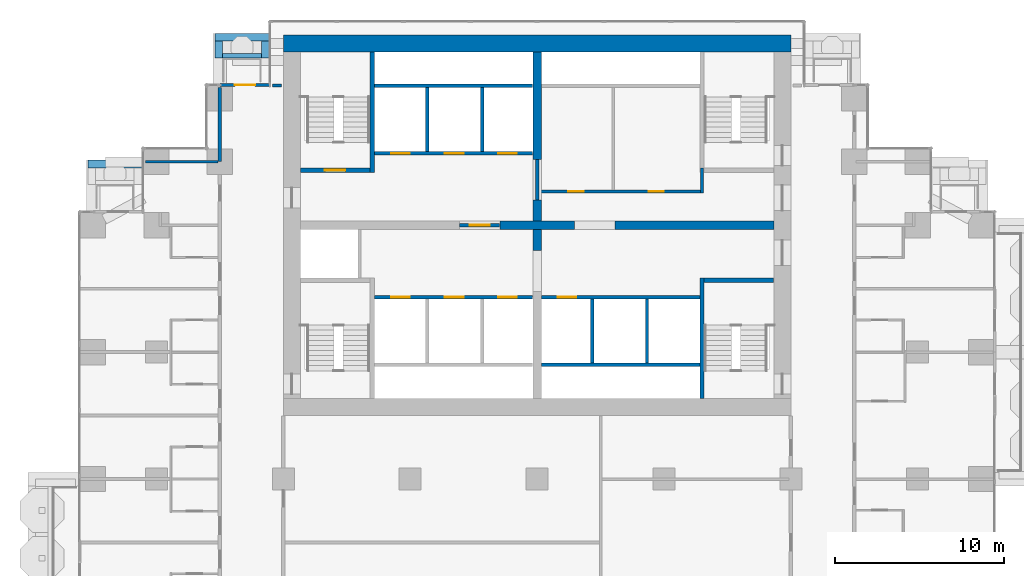
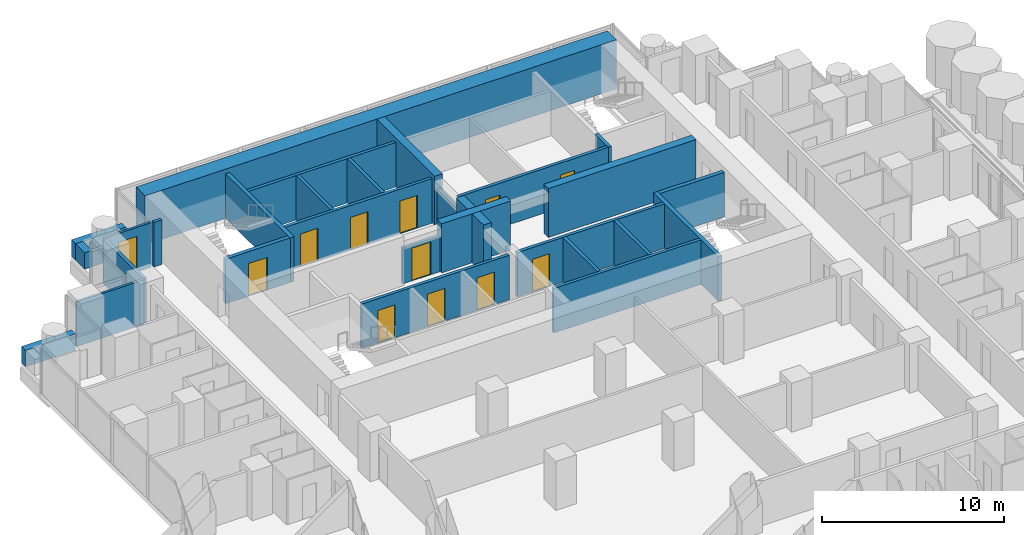
# One storey, part 15 of 20: 32 walls, 12 doors, 12 openings.
"""IFC4 building model written with IfcOpenShell, lengths in metres."""

from ifc_helpers import new_model, si_unit, direction, frame, frame_2d, origin, place, context, subcontext, project, spatial, rectangle, extrude, material, layer, layer_set, type_object, element, fill, save


model = new_model("IFC4")

# Units and contexts
model_context = context("Model", 3, precision=1e-05, world=origin(), true_north=direction((0.0, 1.0)))
body_context = subcontext(model_context, "Body", "Model", "MODEL_VIEW")
ifc_project = project(units=[si_unit("LENGTHUNIT", "METRE"), si_unit("AREAUNIT", "SQUARE_METRE"), si_unit("VOLUMEUNIT", "CUBIC_METRE"), si_unit("PLANEANGLEUNIT", "RADIAN"), si_unit("MASSUNIT", "GRAM", prefix="KILO")], contexts=[model_context])

# Site, building, storey
site_placement = place(None, origin())
site = spatial("IfcSite", under=ifc_project, at=site_placement, CompositionType="ELEMENT")
building_placement = place(site_placement, origin())
building = spatial("IfcBuilding", under=site, at=building_placement, Name="Pilkhan Gate Tower", CompositionType="ELEMENT")
storey_placement = place(building_placement, frame((0.0, 0.0, 85.699951171875)))
storey = spatial("IfcBuildingStorey", under=building, at=storey_placement, Name="L20", CompositionType="ELEMENT", Elevation=85.699951171875)

# Walls
ifc_material_1 = material(Name="Concrete C40/50", Category="concrete")
ifc_layer_1 = layer(ifc_material_1, 0.25)
ifc_layer_set_1 = layer_set([ifc_layer_1], Name="Balcony planter BP250")
wall_type_1 = type_object("IfcWallType", Name="Balcony planter BP250", PredefinedType="USERDEFINED", material=ifc_layer_set_1)
wall_1_placement = place(storey_placement, frame((56.39990234375, 92.52490234375, 0.0), z_axis=(0.0, 0.0, 1.0), x_axis=(1.0, 0.0, 0.0)))
element("IfcWall", 1, at=wall_1_placement, inside=storey, type_object=wall_type_1, Name="Balcony planter L20 N", ObjectType="BALCONY PLANTER", PredefinedType="USERDEFINED", context=body_context, shape_type="SweptSolid", body=[
    extrude(rectangle(XDim=2.300048828125, YDim=0.25, at=frame_2d((1.14990234375, 0.0))), origin(), (0.0, 0.0, 1.0), 1.0),
])
ifc_material_2 = material(Name="Board-marked Concrete C40/50", Category="concrete")
ifc_layer_2 = layer(ifc_material_2, 0.449951171875)
ifc_layer_set_2 = layer_set([ifc_layer_2], Name="Balcony planter lip BL450")
wall_type_2 = type_object("IfcWallType", Name="Balcony planter lip BL450", PredefinedType="USERDEFINED", material=ifc_layer_set_2)
wall_2_placement = place(storey_placement, frame((55.949951171875, 93.625, 0.0), z_axis=(0.0, 0.0, 1.0), x_axis=(1.0, 0.0, 0.0)))
element("IfcWall", 2, at=wall_2_placement, inside=storey, type_object=wall_type_2, Name="Balcony planter L20 N", ObjectType="BALCONY PLANTER", PredefinedType="USERDEFINED", context=body_context, shape_type="SweptSolid", body=[
    extrude(rectangle(XDim=3.199951171875, YDim=0.449951171875, at=frame_2d((1.60009765625, 0.0))), origin(), (0.0, 0.0, 1.0), 1.10009765625),
])
for number, where, z_axis, x_axis, name in (
    (3, (56.175048828125, 92.39990234375, 0.0), (0.0, 0.0, 1.0), (0.0, 1.0, 0.0), "Balcony planter L20 N"),
    (4, (58.925048828125, 92.39990234375, 0.0), (0.0, 0.0, 1.0), (0.0, 1.0, 0.0), "Balcony planter L20 N"),
):
    element("IfcWall", number, at=place(storey_placement, frame(where, z_axis=z_axis, x_axis=x_axis)), inside=storey, type_object=wall_type_2, Name=name, ObjectType="BALCONY PLANTER", PredefinedType="USERDEFINED", context=body_context, shape_type="SweptSolid", body=[
        extrude(rectangle(XDim=1.0, YDim=0.449951171875, at=frame_2d((0.5, 0.0))), origin(), (0.0, 0.0, 1.0), 1.10009765625),
    ])
wall_3_placement = place(storey_placement, frame((48.449951171875, 86.125, 0.0), z_axis=(0.0, 0.0, 1.0), x_axis=(1.0, 0.0, 0.0)))
element("IfcWall", 5, at=wall_3_placement, inside=storey, type_object=wall_type_2, Name="Balcony planter L20 N", ObjectType="BALCONY PLANTER", PredefinedType="USERDEFINED", context=body_context, shape_type="SweptSolid", body=[
    extrude(rectangle(XDim=3.179931640625, YDim=0.449951171875, at=frame_2d((1.58984375, 0.0))), origin(), (0.0, 0.0, 1.0), 1.10009765625),
])
ifc_material_3 = material(Name="Concrete C70/85", Category="concrete")
ifc_layer_3 = layer(ifc_material_3, 1.0)
ifc_layer_set_3 = layer_set([ifc_layer_3], Name="Core wall CW1000 C70/85")
wall_type_3 = type_object("IfcWallType", Name="Core wall CW1000 C70/85", PredefinedType="SHEAR", material=ifc_layer_set_3)
wall_4_placement = place(storey_placement, frame((90.0, 93.25, 0.0), z_axis=(0.0, 0.0, 1.0), x_axis=(-1.0, 0.0, 0.0)))
element("IfcWall", 6, at=wall_4_placement, inside=storey, type_object=wall_type_3, Name="Core wall N L20", PredefinedType="SHEAR", context=body_context, shape_type="SweptSolid", body=[
    extrude(rectangle(XDim=30.0, YDim=1.0, at=frame_2d((15.0, 0.0))), origin(), (0.0, 0.0, 1.0), 3.300048828125),
])
ifc_material_4 = material(Name="Dense blockwork", Category="masonry")
ifc_layer_4 = layer(ifc_material_4, 0.199951171875)
ifc_layer_set_4 = layer_set([ifc_layer_4], Name="Corridor wall FW200")
wall_type_4 = type_object("IfcWallType", Name="Corridor wall FW200", PredefinedType="PARTITIONING", material=ifc_layer_set_4)
wall_5_placement = place(storey_placement, frame((59.35498046875, 90.764892578125, 0.0), z_axis=(0.0, 0.0, 1.0), x_axis=(1.0, 0.0, 0.0)))
element("IfcWall", 7, at=wall_5_placement, inside=storey, type_object=wall_type_4, Name="Partition L20", PredefinedType="PARTITIONING", context=body_context, shape_type="SweptSolid", body=[
    extrude(rectangle(XDim=0.52490234375, YDim=0.199951171875, at=frame_2d((0.262451171875, 0.0))), origin(), (0.0, 0.0, 1.0), 3.0),
])
wall_6_placement = place(storey_placement, frame((56.25, 86.280029296875, 0.0), z_axis=(0.0, 0.0, 1.0), x_axis=(0.0, 1.0, 0.0)))
element("IfcWall", 8, at=wall_6_placement, inside=storey, type_object=wall_type_4, Name="Partition L20", PredefinedType="PARTITIONING", context=body_context, shape_type="SweptSolid", body=[
    extrude(rectangle(XDim=4.364990234375, YDim=0.199951171875, at=frame_2d((2.1826171875, 0.0))), origin(), (0.0, 0.0, 1.0), 3.0),
])

# Wall, opening, door
ifc_material_5 = material(Name="Pale anodised aluminium, clear laminated glazing", Category="aluminium")
ifc_layer_5 = layer(ifc_material_5, 0.14990234375)
ifc_layer_set_5 = layer_set([ifc_layer_5], Name="Facade infill wall IW150")
wall_type_5 = type_object("IfcWallType", Name="Facade infill wall IW150", PredefinedType="SOLIDWALL", material=ifc_layer_set_5)
wall_7_placement = place(storey_placement, frame((56.25, 90.794921875, 0.0), z_axis=(0.0, 0.0, 1.0), x_axis=(1.0, 0.0, 0.0)))
wall_7 = element("IfcWall", 9, at=wall_7_placement, inside=storey, type_object=wall_type_5, Name="Infill wall L20 N", PredefinedType="SOLIDWALL", context=body_context, shape_type="SweptSolid", body=[
    extrude(rectangle(XDim=2.955078125, YDim=0.14990234375, at=frame_2d((1.4775390625, 0.0))), origin(), (0.0, 0.0, 1.0), 3.0),
])
opening_1_placement = place(wall_7_placement, frame((0.87744140625, 0.0, 0.0)))
opening_1 = element("IfcOpeningElement", 10, at=opening_1_placement, cuts=wall_7, Name="Opening D1", PredefinedType="OPENING", context=body_context, shape_type="SweptSolid", body=[
    extrude(rectangle(XDim=1.199951171875, YDim=2.39990234375, at=frame_2d((0.60009765625, 1.199951171875))), frame((0.0, 0.0849609375, 0.0), z_axis=(0.0, -1.0, 0.0), x_axis=(1.0, 0.0, 0.0)), (0.0, 0.0, 1.0), 0.169921875),
])
ifc_material_6 = material(Name="Pale anodised aluminium, clear glazing", Category="aluminium")
door_type_1 = type_object("IfcDoorType", Name="Balcony door D1 1200x2400", OperationType="SINGLE_SWING_LEFT", PredefinedType="DOOR", material=ifc_material_6)
door_1_placement = place(opening_1_placement, origin())
door_1 = element("IfcDoor", 11, at=door_1_placement, inside=storey, type_object=door_type_1, Name="Balcony door L20", OperationType="SINGLE_SWING_LEFT", OverallHeight=2.39990234375, OverallWidth=1.199951171875, PredefinedType="DOOR", context=body_context, shape_type="SweptSolid", body=[
    extrude(rectangle(XDim=1.199951171875, YDim=2.39990234375, at=frame_2d((0.60009765625, 1.199951171875))), frame((0.0, 0.02490234375, 0.0), z_axis=(0.0, -1.0, 0.0), x_axis=(1.0, 0.0, 0.0)), (0.0, 0.0, 1.0), 0.050048828125),
])
fill(opening_1, door_1)

ifc_layer_6 = layer(ifc_material_4, 0.199951171875)
ifc_layer_set_6 = layer_set([ifc_layer_6], Name="Lobby wall LW200")
wall_type_6 = type_object("IfcWallType", Name="Lobby wall LW200", PredefinedType="PARTITIONING", material=ifc_layer_set_6)
wall_8_placement = place(storey_placement, frame((70.409912109375, 82.5, 0.0), z_axis=(0.0, 0.0, 1.0), x_axis=(1.0, 0.0, 0.0)))
wall_8 = element("IfcWall", 12, at=wall_8_placement, inside=storey, type_object=wall_type_6, Name="Partition L20", PredefinedType="PARTITIONING", context=body_context, shape_type="SweptSolid", body=[
    extrude(rectangle(XDim=2.380126953125, YDim=0.199951171875, at=frame_2d((1.18994140625, 0.0))), origin(), (0.0, 0.0, 1.0), 2.400146484375),
])
opening_2_placement = place(wall_8_placement, frame((0.60009765625, 0.0, 0.0)))
opening_2 = element("IfcOpeningElement", 13, at=opening_2_placement, cuts=wall_8, Name="Opening L20-01", PredefinedType="OPENING", context=body_context, shape_type="SweptSolid", body=[
    extrude(rectangle(XDim=1.199951171875, YDim=2.199951171875, at=frame_2d((0.60009765625, 1.10009765625))), frame((0.0, 0.10986328125, 0.0), z_axis=(0.0, -1.0, 0.0), x_axis=(1.0, 0.0, 0.0)), (0.0, 0.0, 1.0), 0.219970703125),
])
ifc_material_7 = material(Name="Steel door, 120 minute fire resisting, self-closing", Category="steel")
door_type_2 = type_object("IfcDoorType", Name="Firefighting lobby door D10 1200x2200", OperationType="SINGLE_SWING_LEFT", PredefinedType="DOOR", material=ifc_material_7)
door_2_placement = place(opening_2_placement, origin())
door_2 = element("IfcDoor", 14, at=door_2_placement, inside=storey, type_object=door_type_2, Name="Firefighting lobby door", OperationType="SINGLE_SWING_LEFT", OverallHeight=2.199951171875, OverallWidth=1.199951171875, PredefinedType="DOOR", context=body_context, shape_type="SweptSolid", body=[
    extrude(rectangle(XDim=1.199951171875, YDim=2.199951171875, at=frame_2d((0.60009765625, 1.10009765625))), frame((0.0, 0.02490234375, 0.0), z_axis=(0.0, -1.0, 0.0), x_axis=(1.0, 0.0, 0.0)), (0.0, 0.0, 1.0), 0.050048828125),
])
fill(opening_2, door_2)

# Wall, openings, doors
wall_9_placement = place(storey_placement, frame((75.10009765625, 84.5, 0.0), z_axis=(0.0, 0.0, 1.0), x_axis=(1.0, 0.0, 0.0)))
wall_9 = element("IfcWall", 15, at=wall_9_placement, inside=storey, type_object=wall_type_6, Name="Partition L20", PredefinedType="PARTITIONING", context=body_context, shape_type="SweptSolid", body=[
    extrude(rectangle(XDim=9.5498046875, YDim=0.199951171875, at=frame_2d((4.77490234375, 0.0))), origin(), (0.0, 0.0, 1.0), 3.0),
])
opening_3_placement = place(wall_9_placement, frame((1.75, 0.0, 0.0)))
opening_3 = element("IfcOpeningElement", 16, at=opening_3_placement, cuts=wall_9, Name="Opening L20-57", PredefinedType="OPENING", context=body_context, shape_type="SweptSolid", body=[
    extrude(rectangle(XDim=0.89990234375, YDim=2.199951171875, at=frame_2d((0.449951171875, 1.10009765625))), frame((0.0, 0.10986328125, 0.0), z_axis=(0.0, -1.0, 0.0), x_axis=(1.0, 0.0, 0.0)), (0.0, 0.0, 1.0), 0.219970703125),
])
opening_4_placement = place(wall_9_placement, frame((6.5, 0.0, 0.0)))
opening_4 = element("IfcOpeningElement", 17, at=opening_4_placement, cuts=wall_9, Name="Opening L20-58", PredefinedType="OPENING", context=body_context, shape_type="SweptSolid", body=[
    extrude(rectangle(XDim=0.89990234375, YDim=2.199951171875, at=frame_2d((0.449951171875, 1.10009765625))), frame((0.0, 0.10986328125, 0.0), z_axis=(0.0, -1.0, 0.0), x_axis=(1.0, 0.0, 0.0)), (0.0, 0.0, 1.0), 0.219970703125),
])
ifc_material_8 = material(Name="Timber flush door, 60 minute fire resisting, self-closing", Category="wood")
door_type_3 = type_object("IfcDoorType", Name="Store door D05 900x2200", OperationType="SINGLE_SWING_LEFT", PredefinedType="DOOR", material=ifc_material_8)
door_3_placement = place(opening_3_placement, origin())
door_3 = element("IfcDoor", 18, at=door_3_placement, inside=storey, type_object=door_type_3, Name="Store door", OperationType="SINGLE_SWING_RIGHT", OverallHeight=2.199951171875, OverallWidth=0.89990234375, PredefinedType="DOOR", context=body_context, shape_type="SweptSolid", body=[
    extrude(rectangle(XDim=0.89990234375, YDim=2.199951171875, at=frame_2d((0.449951171875, 1.10009765625))), frame((0.0, 0.02490234375, 0.0), z_axis=(0.0, -1.0, 0.0), x_axis=(1.0, 0.0, 0.0)), (0.0, 0.0, 1.0), 0.050048828125),
])
fill(opening_3, door_3)
door_4_placement = place(opening_4_placement, origin())
door_4 = element("IfcDoor", 19, at=door_4_placement, inside=storey, type_object=door_type_3, Name="Store door", OperationType="SINGLE_SWING_LEFT", OverallHeight=2.199951171875, OverallWidth=0.89990234375, PredefinedType="DOOR", context=body_context, shape_type="SweptSolid", body=[
    extrude(rectangle(XDim=0.89990234375, YDim=2.199951171875, at=frame_2d((0.449951171875, 1.10009765625))), frame((0.0, 0.02490234375, 0.0), z_axis=(0.0, -1.0, 0.0), x_axis=(1.0, 0.0, 0.0)), (0.0, 0.0, 1.0), 0.050048828125),
])
fill(opening_4, door_4)

# Walls
wall_10_placement = place(storey_placement, frame((75.0, 84.010009765625, 0.0), z_axis=(0.0, 0.0, 1.0), x_axis=(0.0, 1.0, 0.0)))
element("IfcWall", 20, at=wall_10_placement, inside=storey, type_object=wall_type_6, Name="Partition L20", PredefinedType="PARTITIONING", context=body_context, shape_type="SweptSolid", body=[
    extrude(rectangle(XDim=2.3798828125, YDim=0.199951171875, at=frame_2d((1.18994140625, 0.0))), origin(), (0.0, 0.0, 1.0), 2.400146484375),
])
wall_11_placement = place(storey_placement, frame((84.75, 84.39990234375, 0.0), z_axis=(0.0, 0.0, 1.0), x_axis=(0.0, 1.0, 0.0)))
element("IfcWall", 21, at=wall_11_placement, inside=storey, type_object=wall_type_6, Name="Partition L20", PredefinedType="PARTITIONING", context=body_context, shape_type="SweptSolid", body=[
    extrude(rectangle(XDim=1.47509765625, YDim=0.199951171875, at=frame_2d((0.737548828125, 0.0))), origin(), (0.0, 0.0, 1.0), 3.0),
])
ifc_material_9 = material(Name="Blockwork partition, plastered both sides", Category="masonry")
ifc_layer_7 = layer(ifc_material_9, 0.14990234375)
ifc_layer_set_7 = layer_set([ifc_layer_7], Name="Partition PW150")
wall_type_7 = type_object("IfcWallType", Name="Partition PW150", PredefinedType="PARTITIONING", material=ifc_layer_set_7)
wall_12_placement = place(storey_placement, frame((51.85498046875, 86.25, 0.0), z_axis=(0.0, 0.0, 1.0), x_axis=(1.0, 0.0, 0.0)))
element("IfcWall", 22, at=wall_12_placement, inside=storey, type_object=wall_type_7, Name="Partition L20", PredefinedType="PARTITIONING", context=body_context, shape_type="SweptSolid", body=[
    extrude(rectangle(XDim=4.294921875, YDim=0.14990234375, at=frame_2d((2.1474609375, 0.0))), origin(), (0.0, 0.0, 1.0), 3.0),
])
ifc_material_10 = material(Name="Reinforced blockwork shaft wall, 120 minute fire resisting", Category="masonry")
ifc_layer_8 = layer(ifc_material_10, 0.199951171875)
ifc_layer_set_8 = layer_set([ifc_layer_8], Name="Shaft wall SW200")
wall_type_8 = type_object("IfcWallType", Name="Shaft wall SW200", PredefinedType="PARTITIONING", material=ifc_layer_set_8)
wall_13_placement = place(storey_placement, frame((75.260009765625, 74.25, 0.0), z_axis=(0.0, 0.0, 1.0), x_axis=(1.0, 0.0, 0.0)))
element("IfcWall", 23, at=wall_13_placement, inside=storey, type_object=wall_type_8, Name="Partition L20", PredefinedType="PARTITIONING", context=body_context, shape_type="SweptSolid", body=[
    extrude(rectangle(XDim=9.364990234375, YDim=0.199951171875, at=frame_2d((4.6826171875, 0.0))), origin(), (0.0, 0.0, 1.0), 3.0),
])

# Wall, openings, doors
wall_14_placement = place(storey_placement, frame((65.375, 78.25, 0.0), z_axis=(0.0, 0.0, 1.0), x_axis=(1.0, 0.0, 0.0)))
wall_14 = element("IfcWall", 24, at=wall_14_placement, inside=storey, type_object=wall_type_8, Name="Partition L20", PredefinedType="PARTITIONING", context=body_context, shape_type="SweptSolid", body=[
    extrude(rectangle(XDim=9.364990234375, YDim=0.199951171875, at=frame_2d((4.6826171875, 0.0))), origin(), (0.0, 0.0, 1.0), 3.0),
])
opening_5_placement = place(wall_14_placement, frame((1.0, 0.0, 0.0)))
opening_5 = element("IfcOpeningElement", 25, at=opening_5_placement, cuts=wall_14, Name="Opening LD", PredefinedType="OPENING", context=body_context, shape_type="SweptSolid", body=[
    extrude(rectangle(XDim=1.10009765625, YDim=2.199951171875, at=frame_2d((0.550048828125, 1.10009765625))), frame((0.0, 0.10986328125, 0.0), z_axis=(0.0, -1.0, 0.0), x_axis=(1.0, 0.0, 0.0)), (0.0, 0.0, 1.0), 0.219970703125),
])
opening_6_placement = place(wall_14_placement, frame((4.175048828125, 0.0, 0.0)))
opening_6 = element("IfcOpeningElement", 26, at=opening_6_placement, cuts=wall_14, Name="Opening LD", PredefinedType="OPENING", context=body_context, shape_type="SweptSolid", body=[
    extrude(rectangle(XDim=1.10009765625, YDim=2.199951171875, at=frame_2d((0.550048828125, 1.10009765625))), frame((0.0, 0.10986328125, 0.0), z_axis=(0.0, -1.0, 0.0), x_axis=(1.0, 0.0, 0.0)), (0.0, 0.0, 1.0), 0.219970703125),
])
opening_7_placement = place(wall_14_placement, frame((7.324951171875, 0.0, 0.0)))
opening_7 = element("IfcOpeningElement", 27, at=opening_7_placement, cuts=wall_14, Name="Opening LD", PredefinedType="OPENING", context=body_context, shape_type="SweptSolid", body=[
    extrude(rectangle(XDim=1.10009765625, YDim=2.199951171875, at=frame_2d((0.550048828125, 1.10009765625))), frame((0.0, 0.10986328125, 0.0), z_axis=(0.0, -1.0, 0.0), x_axis=(1.0, 0.0, 0.0)), (0.0, 0.0, 1.0), 0.219970703125),
])
ifc_material_11 = material(Name="Stainless steel centre-opening landing door, 120 minute fire resisting", Category="steel")
door_type_4 = type_object("IfcDoorType", Name="Lift landing door LD 1100x2200", OperationType="DOUBLE_DOOR_SLIDING", PredefinedType="DOOR", material=ifc_material_11)
door_5_placement = place(opening_5_placement, origin())
door_5 = element("IfcDoor", 28, at=door_5_placement, inside=storey, type_object=door_type_4, Name="Landing door LR1", OperationType="DOUBLE_DOOR_SLIDING", OverallHeight=2.199951171875, OverallWidth=1.10009765625, PredefinedType="DOOR", context=body_context, shape_type="SweptSolid", body=[
    extrude(rectangle(XDim=1.10009765625, YDim=2.199951171875, at=frame_2d((0.550048828125, 1.10009765625))), frame((0.0, 0.02490234375, 0.0), z_axis=(0.0, -1.0, 0.0), x_axis=(1.0, 0.0, 0.0)), (0.0, 0.0, 1.0), 0.050048828125),
])
fill(opening_5, door_5)
door_6_placement = place(opening_6_placement, origin())
door_6 = element("IfcDoor", 29, at=door_6_placement, inside=storey, type_object=door_type_4, Name="Landing door LR2", OperationType="DOUBLE_DOOR_SLIDING", OverallHeight=2.199951171875, OverallWidth=1.10009765625, PredefinedType="DOOR", context=body_context, shape_type="SweptSolid", body=[
    extrude(rectangle(XDim=1.10009765625, YDim=2.199951171875, at=frame_2d((0.550048828125, 1.10009765625))), frame((0.0, 0.02490234375, 0.0), z_axis=(0.0, -1.0, 0.0), x_axis=(1.0, 0.0, 0.0)), (0.0, 0.0, 1.0), 0.050048828125),
])
fill(opening_6, door_6)
door_7_placement = place(opening_7_placement, origin())
door_7 = element("IfcDoor", 30, at=door_7_placement, inside=storey, type_object=door_type_4, Name="Landing door LR3", OperationType="DOUBLE_DOOR_SLIDING", OverallHeight=2.199951171875, OverallWidth=1.10009765625, PredefinedType="DOOR", context=body_context, shape_type="SweptSolid", body=[
    extrude(rectangle(XDim=1.10009765625, YDim=2.199951171875, at=frame_2d((0.550048828125, 1.10009765625))), frame((0.0, 0.02490234375, 0.0), z_axis=(0.0, -1.0, 0.0), x_axis=(1.0, 0.0, 0.0)), (0.0, 0.0, 1.0), 0.050048828125),
])
fill(opening_7, door_7)

# Wall, opening, door
wall_15_placement = place(storey_placement, frame((75.260009765625, 78.25, 0.0), z_axis=(0.0, 0.0, 1.0), x_axis=(1.0, 0.0, 0.0)))
wall_15 = element("IfcWall", 31, at=wall_15_placement, inside=storey, type_object=wall_type_8, Name="Partition L20", PredefinedType="PARTITIONING", context=body_context, shape_type="SweptSolid", body=[
    extrude(rectangle(XDim=9.364990234375, YDim=0.199951171875, at=frame_2d((4.6826171875, 0.0))), origin(), (0.0, 0.0, 1.0), 3.0),
])
opening_8_placement = place(wall_15_placement, frame((0.949951171875, 0.0, 0.0)))
opening_8 = element("IfcOpeningElement", 32, at=opening_8_placement, cuts=wall_15, Name="Opening LD", PredefinedType="OPENING", context=body_context, shape_type="SweptSolid", body=[
    extrude(rectangle(XDim=1.10009765625, YDim=2.199951171875, at=frame_2d((0.550048828125, 1.10009765625))), frame((0.0, 0.10986328125, 0.0), z_axis=(0.0, -1.0, 0.0), x_axis=(1.0, 0.0, 0.0)), (0.0, 0.0, 1.0), 0.219970703125),
])
door_8_placement = place(opening_8_placement, origin())
door_8 = element("IfcDoor", 33, at=door_8_placement, inside=storey, type_object=door_type_4, Name="Landing door LR4", OperationType="DOUBLE_DOOR_SLIDING", OverallHeight=2.199951171875, OverallWidth=1.10009765625, PredefinedType="DOOR", context=body_context, shape_type="SweptSolid", body=[
    extrude(rectangle(XDim=1.10009765625, YDim=2.199951171875, at=frame_2d((0.550048828125, 1.10009765625))), frame((0.0, 0.02490234375, 0.0), z_axis=(0.0, -1.0, 0.0), x_axis=(1.0, 0.0, 0.0)), (0.0, 0.0, 1.0), 0.050048828125),
])
fill(opening_8, door_8)

# Wall, openings, doors
wall_16_placement = place(storey_placement, frame((65.375, 86.75, 0.0), z_axis=(0.0, 0.0, 1.0), x_axis=(1.0, 0.0, 0.0)))
wall_16 = element("IfcWall", 34, at=wall_16_placement, inside=storey, type_object=wall_type_8, Name="Partition L20", PredefinedType="PARTITIONING", context=body_context, shape_type="SweptSolid", body=[
    extrude(rectangle(XDim=9.364990234375, YDim=0.199951171875, at=frame_2d((4.6826171875, 0.0))), origin(), (0.0, 0.0, 1.0), 3.0),
])
opening_9_placement = place(wall_16_placement, frame((1.0, 0.0, 0.0)))
opening_9 = element("IfcOpeningElement", 35, at=opening_9_placement, cuts=wall_16, Name="Opening LD", PredefinedType="OPENING", context=body_context, shape_type="SweptSolid", body=[
    extrude(rectangle(XDim=1.10009765625, YDim=2.199951171875, at=frame_2d((0.550048828125, 1.10009765625))), frame((0.0, 0.10986328125, 0.0), z_axis=(0.0, -1.0, 0.0), x_axis=(1.0, 0.0, 0.0)), (0.0, 0.0, 1.0), 0.219970703125),
])
opening_10_placement = place(wall_16_placement, frame((4.175048828125, 0.0, 0.0)))
opening_10 = element("IfcOpeningElement", 36, at=opening_10_placement, cuts=wall_16, Name="Opening LD", PredefinedType="OPENING", context=body_context, shape_type="SweptSolid", body=[
    extrude(rectangle(XDim=1.10009765625, YDim=2.199951171875, at=frame_2d((0.550048828125, 1.10009765625))), frame((0.0, 0.10986328125, 0.0), z_axis=(0.0, -1.0, 0.0), x_axis=(1.0, 0.0, 0.0)), (0.0, 0.0, 1.0), 0.219970703125),
])
opening_11_placement = place(wall_16_placement, frame((7.324951171875, 0.0, 0.0)))
opening_11 = element("IfcOpeningElement", 37, at=opening_11_placement, cuts=wall_16, Name="Opening LD", PredefinedType="OPENING", context=body_context, shape_type="SweptSolid", body=[
    extrude(rectangle(XDim=1.10009765625, YDim=2.199951171875, at=frame_2d((0.550048828125, 1.10009765625))), frame((0.0, 0.10986328125, 0.0), z_axis=(0.0, -1.0, 0.0), x_axis=(1.0, 0.0, 0.0)), (0.0, 0.0, 1.0), 0.219970703125),
])
door_9_placement = place(opening_9_placement, origin())
door_9 = element("IfcDoor", 38, at=door_9_placement, inside=storey, type_object=door_type_4, Name="Landing door FF1", OperationType="DOUBLE_DOOR_SLIDING", OverallHeight=2.199951171875, OverallWidth=1.10009765625, PredefinedType="DOOR", context=body_context, shape_type="SweptSolid", body=[
    extrude(rectangle(XDim=1.10009765625, YDim=2.199951171875, at=frame_2d((0.550048828125, 1.10009765625))), frame((0.0, 0.02490234375, 0.0), z_axis=(0.0, -1.0, 0.0), x_axis=(1.0, 0.0, 0.0)), (0.0, 0.0, 1.0), 0.050048828125),
])
fill(opening_9, door_9)
door_10_placement = place(opening_10_placement, origin())
door_10 = element("IfcDoor", 39, at=door_10_placement, inside=storey, type_object=door_type_4, Name="Landing door FF2", OperationType="DOUBLE_DOOR_SLIDING", OverallHeight=2.199951171875, OverallWidth=1.10009765625, PredefinedType="DOOR", context=body_context, shape_type="SweptSolid", body=[
    extrude(rectangle(XDim=1.10009765625, YDim=2.199951171875, at=frame_2d((0.550048828125, 1.10009765625))), frame((0.0, 0.02490234375, 0.0), z_axis=(0.0, -1.0, 0.0), x_axis=(1.0, 0.0, 0.0)), (0.0, 0.0, 1.0), 0.050048828125),
])
fill(opening_10, door_10)
door_11_placement = place(opening_11_placement, origin())
door_11 = element("IfcDoor", 40, at=door_11_placement, inside=storey, type_object=door_type_4, Name="Landing door SV1", OperationType="DOUBLE_DOOR_SLIDING", OverallHeight=2.199951171875, OverallWidth=1.10009765625, PredefinedType="DOOR", context=body_context, shape_type="SweptSolid", body=[
    extrude(rectangle(XDim=1.10009765625, YDim=2.199951171875, at=frame_2d((0.550048828125, 1.10009765625))), frame((0.0, 0.02490234375, 0.0), z_axis=(0.0, -1.0, 0.0), x_axis=(1.0, 0.0, 0.0)), (0.0, 0.0, 1.0), 0.050048828125),
])
fill(opening_11, door_11)

# Walls
wall_17_placement = place(storey_placement, frame((65.375, 90.75, 0.0), z_axis=(0.0, 0.0, 1.0), x_axis=(1.0, 0.0, 0.0)))
element("IfcWall", 41, at=wall_17_placement, inside=storey, type_object=wall_type_8, Name="Partition L20", PredefinedType="PARTITIONING", context=body_context, shape_type="SweptSolid", body=[
    extrude(rectangle(XDim=9.364990234375, YDim=0.199951171875, at=frame_2d((4.6826171875, 0.0))), origin(), (0.0, 0.0, 1.0), 3.0),
])
for number, where, z_axis, x_axis, name in (
    (42, (68.5, 86.85009765625, 0.0), (0.0, 0.0, 1.0), (0.0, 1.0, 0.0), "Partition L20"),
    (43, (71.75, 86.85009765625, 0.0), (0.0, 0.0, 1.0), (0.0, 1.0, 0.0), "Partition L20"),
    (44, (78.25, 74.35009765625, 0.0), (0.0, 0.0, 1.0), (0.0, 1.0, 0.0), "Partition L20"),
    (45, (81.5, 74.35009765625, 0.0), (0.0, 0.0, 1.0), (0.0, 1.0, 0.0), "Partition L20"),
):
    element("IfcWall", number, at=place(storey_placement, frame(where, z_axis=z_axis, x_axis=x_axis)), inside=storey, type_object=wall_type_8, Name=name, PredefinedType="PARTITIONING", context=body_context, shape_type="SweptSolid", body=[
        extrude(rectangle(XDim=3.7998046875, YDim=0.199951171875, at=frame_2d((1.89990234375, 0.0))), origin(), (0.0, 0.0, 1.0), 3.0),
    ])
ifc_layer_9 = layer(ifc_material_3, 0.5)
ifc_layer_set_9 = layer_set([ifc_layer_9], Name="Spine wall SW500 C70/85")
wall_type_9 = type_object("IfcWallType", Name="Spine wall SW500 C70/85", PredefinedType="SHEAR", material=ifc_layer_set_9)
wall_18_placement = place(storey_placement, frame((72.800048828125, 82.5, 0.0), z_axis=(0.0, 0.0, 1.0), x_axis=(1.0, 0.0, 0.0)))
element("IfcWall", 46, at=wall_18_placement, inside=storey, type_object=wall_type_9, Name="Spine wall SP-EW2 L20", PredefinedType="SHEAR", context=body_context, shape_type="SweptSolid", body=[
    extrude(rectangle(XDim=4.39990234375, YDim=0.5, at=frame_2d((2.199951171875, 0.0))), origin(), (0.0, 0.0, 1.0), 3.300048828125),
])
wall_19_placement = place(storey_placement, frame((79.60009765625, 82.5, 0.0), z_axis=(0.0, 0.0, 1.0), x_axis=(1.0, 0.0, 0.0)))
element("IfcWall", 47, at=wall_19_placement, inside=storey, type_object=wall_type_9, Name="Spine wall SP-EW3 L20", PredefinedType="SHEAR", context=body_context, shape_type="SweptSolid", body=[
    extrude(rectangle(XDim=9.39990234375, YDim=0.5, at=frame_2d((4.699951171875, 0.0))), origin(), (0.0, 0.0, 1.0), 3.300048828125),
])
for number, where, z_axis, x_axis, name in (
    (48, (75.0, 81.0, 0.0), (0.0, 0.0, 1.0), (0.0, 1.0, 0.0), "Spine wall SP-NS-S2 L20"),
    (49, (75.0, 82.75, 0.0), (0.0, 0.0, 1.0), (0.0, 1.0, 0.0), "Spine wall SP-NS-N1 L20"),
):
    element("IfcWall", number, at=place(storey_placement, frame(where, z_axis=z_axis, x_axis=x_axis)), inside=storey, type_object=wall_type_9, Name=name, PredefinedType="SHEAR", context=body_context, shape_type="SweptSolid", body=[
        extrude(rectangle(XDim=1.25, YDim=0.5, at=frame_2d((0.625, 0.0))), origin(), (0.0, 0.0, 1.0), 3.300048828125),
    ])
wall_20_placement = place(storey_placement, frame((75.0, 86.39990234375, 0.0), z_axis=(0.0, 0.0, 1.0), x_axis=(0.0, 1.0, 0.0)))
element("IfcWall", 50, at=wall_20_placement, inside=storey, type_object=wall_type_9, Name="Spine wall SP-NS-N2 L20", PredefinedType="SHEAR", context=body_context, shape_type="SweptSolid", body=[
    extrude(rectangle(XDim=6.35009765625, YDim=0.5, at=frame_2d((3.175048828125, 0.0))), origin(), (0.0, 0.0, 1.0), 3.300048828125),
])
ifc_material_12 = material(Name="Reinforced blockwork, 120 minute fire resisting", Category="masonry")
ifc_layer_10 = layer(ifc_material_12, 0.25)
ifc_layer_set_10 = layer_set([ifc_layer_10], Name="Stair enclosure wall SE250")
wall_type_10 = type_object("IfcWallType", Name="Stair enclosure wall SE250", PredefinedType="PARTITIONING", material=ifc_layer_set_10)
wall_21_placement = place(storey_placement, frame((84.875, 79.25, 0.0), z_axis=(0.0, 0.0, 1.0), x_axis=(1.0, 0.0, 0.0)))
element("IfcWall", 51, at=wall_21_placement, inside=storey, type_object=wall_type_10, Name="Partition L20", PredefinedType="PARTITIONING", context=body_context, shape_type="SweptSolid", body=[
    extrude(rectangle(XDim=4.114990234375, YDim=0.25, at=frame_2d((2.0576171875, 0.0))), origin(), (0.0, 0.0, 1.0), 3.0),
])

# Wall, opening, door
wall_22_placement = place(storey_placement, frame((61.010009765625, 85.75, 0.0), z_axis=(0.0, 0.0, 1.0), x_axis=(1.0, 0.0, 0.0)))
wall_22 = element("IfcWall", 52, at=wall_22_placement, inside=storey, type_object=wall_type_10, Name="Partition L20", PredefinedType="PARTITIONING", context=body_context, shape_type="SweptSolid", body=[
    extrude(rectangle(XDim=4.114990234375, YDim=0.25, at=frame_2d((2.0576171875, 0.0))), origin(), (0.0, 0.0, 1.0), 3.0),
])
opening_12_placement = place(wall_22_placement, frame((1.449951171875, 0.0, 0.0)))
opening_12 = element("IfcOpeningElement", 53, at=opening_12_placement, cuts=wall_22, Name="Opening L20-02", PredefinedType="OPENING", context=body_context, shape_type="SweptSolid", body=[
    extrude(rectangle(XDim=1.199951171875, YDim=2.199951171875, at=frame_2d((0.60009765625, 1.10009765625))), frame((0.0, 0.135009765625, 0.0), z_axis=(0.0, -1.0, 0.0), x_axis=(1.0, 0.0, 0.0)), (0.0, 0.0, 1.0), 0.27001953125),
])
ifc_material_13 = material(Name="Steel door, 120 minute fire resisting, panic bar", Category="steel")
door_type_5 = type_object("IfcDoorType", Name="Stair door D11 1200x2200", OperationType="SINGLE_SWING_LEFT", PredefinedType="DOOR", material=ifc_material_13)
door_12_placement = place(opening_12_placement, origin())
door_12 = element("IfcDoor", 54, at=door_12_placement, inside=storey, type_object=door_type_5, Name="Stair ST3 lobby door", OperationType="SINGLE_SWING_LEFT", OverallHeight=2.199951171875, OverallWidth=1.199951171875, PredefinedType="DOOR", context=body_context, shape_type="SweptSolid", body=[
    extrude(rectangle(XDim=1.199951171875, YDim=2.199951171875, at=frame_2d((0.60009765625, 1.10009765625))), frame((0.0, 0.02490234375, 0.0), z_axis=(0.0, -1.0, 0.0), x_axis=(1.0, 0.0, 0.0)), (0.0, 0.0, 1.0), 0.050048828125),
])
fill(opening_12, door_12)

# Walls
for number, where, z_axis, x_axis, name in (
    (55, (65.25, 85.625, 0.0), (0.0, 0.0, 1.0), (0.0, 1.0, 0.0), "Partition L20"),
    (56, (84.75, 72.260009765625, 0.0), (0.0, 0.0, 1.0), (0.0, 1.0, 0.0), "Partition L20"),
):
    element("IfcWall", number, at=place(storey_placement, frame(where, z_axis=z_axis, x_axis=x_axis)), inside=storey, type_object=wall_type_10, Name=name, PredefinedType="PARTITIONING", context=body_context, shape_type="SweptSolid", body=[
        extrude(rectangle(XDim=7.114990234375, YDim=0.25, at=frame_2d((3.5576171875, 0.0))), origin(), (0.0, 0.0, 1.0), 3.0),
    ])

save(model, "model.ifc")
